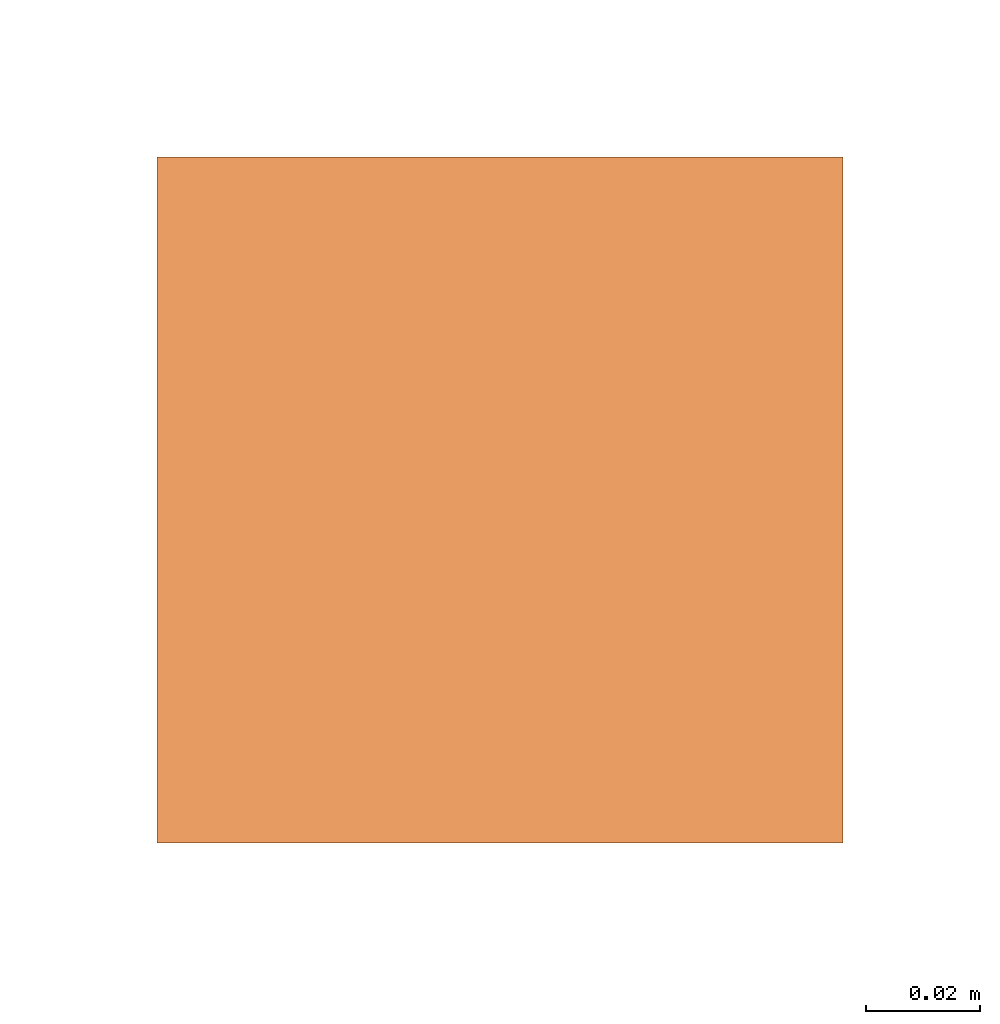
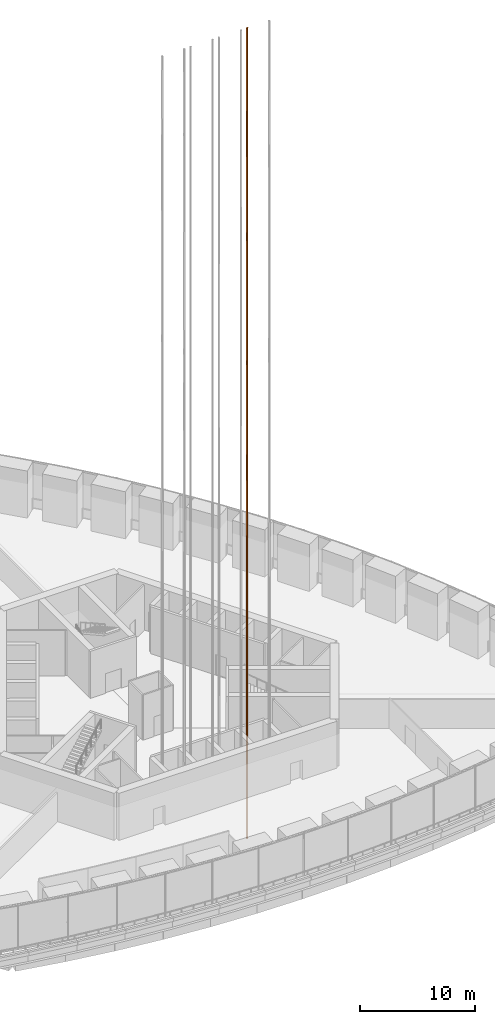
# One storey, part 32 of 33: 1 proxy.
"""IFC4 building model written with IfcOpenShell, lengths in metres."""

from ifc_helpers import new_model, si_unit, direction, frame, origin, origin_2d, place, context, subcontext, project, spatial, rectangle, extrude, element, save


model = new_model("IFC4")

# Units and contexts
model_context = context("Model", 3, precision=1e-05, world=origin(), true_north=direction((0.0, 1.0)))
body_context = subcontext(model_context, "Body", "Model", "MODEL_VIEW")
ifc_project = project(units=[si_unit("LENGTHUNIT", "METRE"), si_unit("AREAUNIT", "SQUARE_METRE"), si_unit("VOLUMEUNIT", "CUBIC_METRE"), si_unit("PLANEANGLEUNIT", "RADIAN"), si_unit("MASSUNIT", "GRAM", prefix="KILO")], contexts=[model_context])

# Site, building, storey
site_placement = place(None, origin())
site = spatial("IfcSite", under=ifc_project, at=site_placement, CompositionType="ELEMENT")
building_placement = place(site_placement, origin())
building = spatial("IfcBuilding", under=site, at=building_placement, Name="Trefoil Bronze Tower", CompositionType="ELEMENT")
storey_placement = place(building_placement, frame((0.0, 0.0, 98.10009765625)))
storey = spatial("IfcBuildingStorey", under=building, at=storey_placement, Name="L22", CompositionType="ELEMENT", Elevation=98.10009765625)

# Proxy
proxy_placement = place(storey_placement, frame((3.1650390625, -11.3125, -6.0), z_axis=(0.0, 0.0, 1.0), x_axis=(1.0, 0.0, 0.0)))
element("IfcBuildingElementProxy", 1, at=proxy_placement, inside=storey, Name="Lift P24 guide rail 1", ObjectType="LIFT GUIDE RAIL", PredefinedType="USERDEFINED", context=body_context, shape_type="SweptSolid", body=[
    extrude(rectangle(XDim=0.1201171875, YDim=0.1201171875, at=origin_2d()), origin(), (0.0, 0.0, 1.0), 86.25),
])

save(model, "model.ifc")
